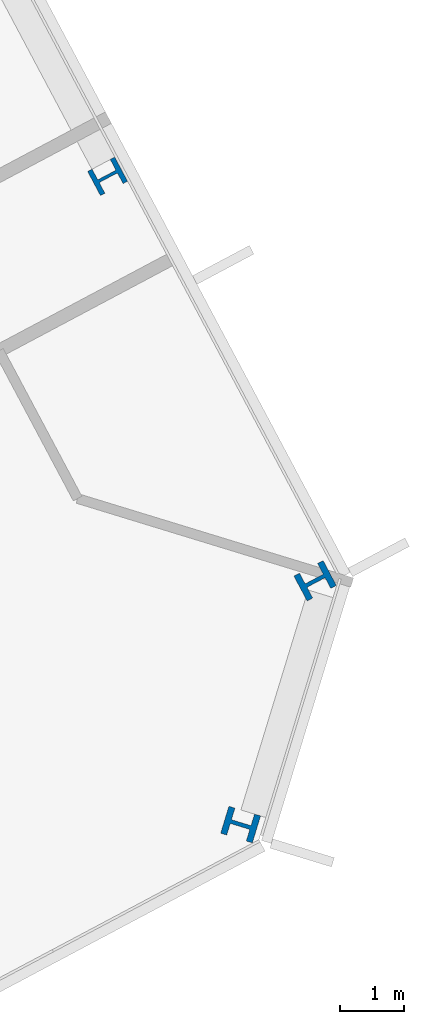
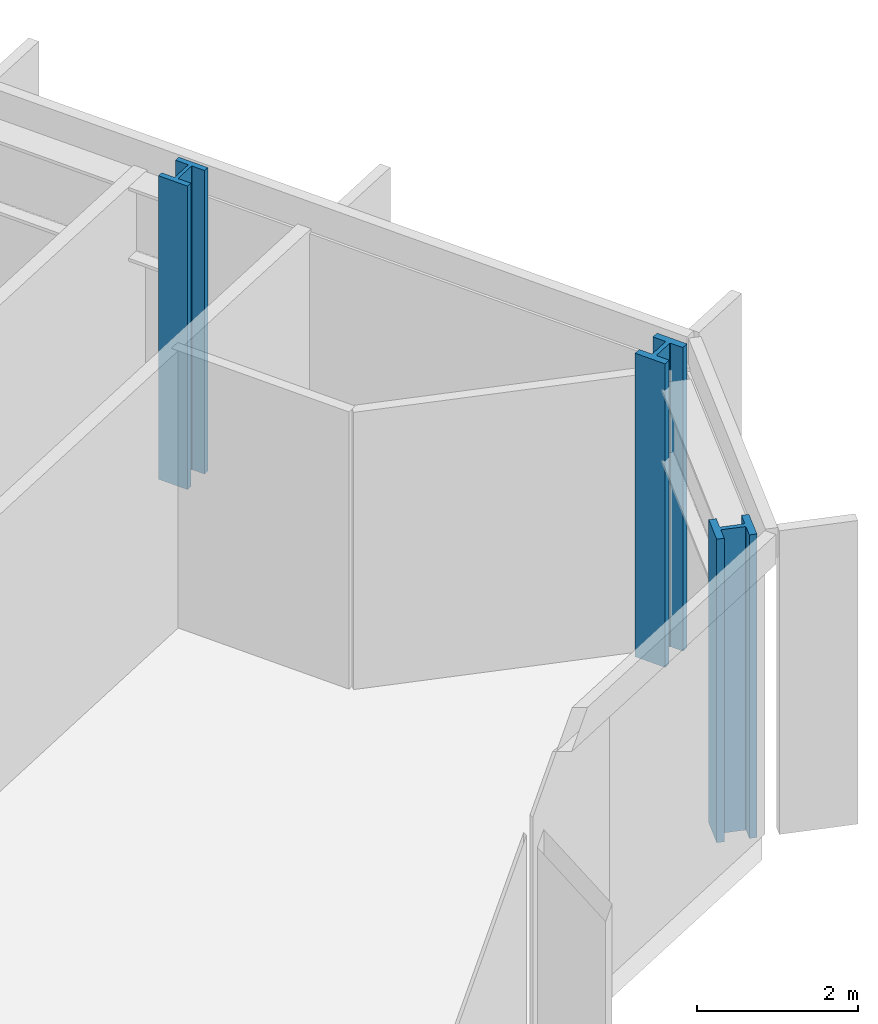
# One storey, part 6 of 32: 3 columns.
"""IFC4 building model written with IfcOpenShell, lengths in metres."""

import ifcopenshell
import ifcopenshell.guid

model = None  # the IFC model being written
_history = None  # IfcOwnerHistory: only IFC2X3 demands one
_inside = {}  # id of a spatial element -> (the spatial element, [elements in it])
_under = {}  # id of a project, library or spatial element -> (it, [spatial elements below it])
_declared = {}  # id of a project -> (the project, [libraries it declares])
_typed = {}  # id of a type object -> (the type object, [elements of that type])
_made_of = {}  # id of a material, layer set ... -> (it, [elements and type objects made of it])


def new_model(schema):
    """Start an empty IFC model of exactly this schema.

    Asked for "IFC4X3", IfcOpenShell would pick the latest addendum, in which some entities
    have other attributes; the version numbers below select the first issue.
    IFC2X3 requires an IfcOwnerHistory on every rooted entity: one is made here for all.
    """
    global model, _history
    if schema == "IFC4X3":
        model = ifcopenshell.file(schema_version=(4, 3, 0, 0))
    else:
        model = ifcopenshell.file(schema=schema)
    _inside.clear()
    _under.clear()
    _declared.clear()
    _typed.clear()
    _made_of.clear()
    _history = None
    if model.schema == "IFC2X3":
        org = make("IfcOrganization", Name="unknown")
        user = make(
            "IfcPersonAndOrganization",
            ThePerson=make("IfcPerson", FamilyName="unknown"),
            TheOrganization=org,
        )
        app = make(
            "IfcApplication",
            ApplicationDeveloper=org,
            Version="unknown",
            ApplicationFullName="unknown",
            ApplicationIdentifier="unknown",
        )
        _history = make(
            "IfcOwnerHistory",
            OwningUser=user,
            OwningApplication=app,
            ChangeAction="ADDED",
            CreationDate=0,
        )
    return model


def make(cls, **values):
    """One entity of the class cls with the attributes given. An attribute that is None is left unset."""
    return model.create_entity(
        cls, **{name: value for name, value in values.items() if value is not None}
    )


def rooted(cls, **values):
    """An entity with a GlobalId (a new one), such as an element, a storey or a relation."""
    return make(cls, GlobalId=ifcopenshell.guid.new(), OwnerHistory=_history, **values)


def si_unit(unit_type, name, prefix=None):
    """IfcSIUnit, for example si_unit("LENGTHUNIT", "METRE", prefix="MILLI")."""
    return make("IfcSIUnit", UnitType=unit_type, Prefix=prefix, Name=name)


def assignment(units):
    """IfcUnitAssignment: the units of a project."""
    return None if units is None else make("IfcUnitAssignment", Units=units)


def point(xyz):
    """IfcCartesianPoint."""
    return None if xyz is None else make("IfcCartesianPoint", Coordinates=xyz)


def direction(xyz):
    """IfcDirection."""
    return None if xyz is None else make("IfcDirection", DirectionRatios=xyz)


def frame(location, z_axis=None, x_axis=None):
    """IfcAxis2Placement3D, a coordinate frame: its origin and axes. An axis left out is left unset."""
    return make(
        "IfcAxis2Placement3D",
        Location=point(location),
        Axis=direction(z_axis),
        RefDirection=direction(x_axis),
    )


def frame_2d(location, x_axis=None):
    """IfcAxis2Placement2D, a coordinate frame in the plane: its origin and x axis."""
    return make(
        "IfcAxis2Placement2D", Location=point(location), RefDirection=direction(x_axis)
    )


def origin():
    """The frame at (0, 0, 0) with its axes left unset."""
    return frame((0.0, 0.0, 0.0))


def origin_2d():
    """The frame at (0, 0) in the plane with its x axis left unset."""
    return frame_2d((0.0, 0.0))


def place(relative_to, where):
    """IfcLocalPlacement: puts the frame where relative to a parent placement (None: the world)."""
    return make(
        "IfcLocalPlacement", PlacementRelTo=relative_to, RelativePlacement=where
    )


def context(
    kind, dimensions, precision=None, world=None, true_north=None, identifier=None
):
    """IfcGeometricRepresentationContext, for example the 3D "Model" context."""
    return make(
        "IfcGeometricRepresentationContext",
        ContextIdentifier=identifier,
        ContextType=kind,
        CoordinateSpaceDimension=dimensions,
        Precision=precision,
        WorldCoordinateSystem=world,
        TrueNorth=true_north,
    )


def subcontext(parent, identifier, kind, view, scale=None):
    """IfcGeometricRepresentationSubContext, for example "Body" below "Model"."""
    return make(
        "IfcGeometricRepresentationSubContext",
        ContextIdentifier=identifier,
        ContextType=kind,
        ParentContext=parent,
        TargetScale=scale,
        TargetView=view,
    )


def project(units=None, contexts=None):
    """IfcProject with its units and contexts."""
    return rooted(
        "IfcProject",
        Name="project",
        RepresentationContexts=contexts,
        UnitsInContext=assignment(units),
    )


def spatial(cls, under=None, at=None, **own):
    """A site, building, storey or space (cls), placed at a placement, below another one or the project."""
    s = rooted(cls, ObjectPlacement=at, **own)
    if under is not None:
        _under.setdefault(under.id(), (under, []))[1].append(s)
    return s


def profile(cls, at=None, kind="AREA", **sizes):
    """A parametric profile (cls). Its sizes go by their IFC names, for example OverallWidth=200.0."""
    return make(cls, ProfileType=kind, Position=at, **sizes)


def i_section(**sizes):
    """IfcIShapeProfileDef."""
    return profile("IfcIShapeProfileDef", **sizes)


def extrude(swept, where, along, depth):
    """IfcExtrudedAreaSolid: the profile swept, set in the frame where, extruded along a direction by depth."""
    return make(
        "IfcExtrudedAreaSolid",
        SweptArea=swept,
        Position=where,
        ExtrudedDirection=direction(along),
        Depth=depth,
    )


def shape(context_of_items, identifier, shape_type, items):
    """IfcShapeRepresentation: the items that make up one representation, for example the "Body"."""
    return make(
        "IfcShapeRepresentation",
        ContextOfItems=context_of_items,
        RepresentationIdentifier=identifier,
        RepresentationType=shape_type,
        Items=items,
    )


def material(Name=None, Category=None):
    """IfcMaterial."""
    return make("IfcMaterial", Name=Name, Category=Category)


def material_profile(
    of_material, cross_section, Name=None, Category=None, Priority=None
):
    """IfcMaterialProfile: a cross section and its material."""
    return make(
        "IfcMaterialProfile",
        Name=Name,
        Material=of_material,
        Profile=cross_section,
        Priority=Priority,
        Category=Category,
    )


def profile_set(profiles, Name=None, composite=None):
    """IfcMaterialProfileSet."""
    return make(
        "IfcMaterialProfileSet",
        Name=Name,
        MaterialProfiles=profiles,
        CompositeProfile=composite,
    )


def made_of(thing, what):
    """Note that an element or type object is made of a material, layer set ...; save() writes the relation."""
    if what is not None:
        _made_of.setdefault(what.id(), (what, []))[1].append(thing)
    return thing


def type_object(cls, material=None, **own):
    """A type object (cls), such as IfcWallType, which elements share."""
    return made_of(rooted(cls, **own), material)


def element(
    cls,
    number,
    at=None,
    inside=None,
    cuts=None,
    type_object=None,
    material=None,
    context=None,
    identifier="Body",
    shape_type=None,
    held_by="IfcProductDefinitionShape",
    body=None,
    shapes=None,
    **own,
):
    """One element of the class cls, such as IfcWall. Its Tag is "e" and its number.

    at: its placement. inside: the storey or other place that contains it. cuts: it is an
    opening in that element (IfcRelVoidsElement). A single representation is given by context,
    identifier, shape_type and body (its items); several are given by shapes. held_by: the class
    of the entity that holds the representations. save() writes the other relations.
    """
    e = rooted(cls, Tag="e%d" % number, ObjectPlacement=at, **own)
    if body is not None:
        shapes = [shape(context, identifier, shape_type, body)]
    if shapes is not None:
        e.Representation = make(held_by, Representations=shapes)
    if inside is not None:
        _inside.setdefault(inside.id(), (inside, []))[1].append(e)
    if cuts is not None:
        rooted(
            "IfcRelVoidsElement", RelatingBuildingElement=cuts, RelatedOpeningElement=e
        )
    if type_object is not None:
        _typed.setdefault(type_object.id(), (type_object, []))[1].append(e)
    return made_of(e, material)


def aggregate(whole, parts):
    """IfcRelAggregates: a whole, such as a stair, and the parts it consists of."""
    return rooted("IfcRelAggregates", RelatingObject=whole, RelatedObjects=parts)


def save(model, path):
    """Write the relations noted so far, then the file.

    IfcRelAggregates (storeys below a building ...), IfcRelContainedInSpatialStructure (elements
    in a storey), IfcRelDefinesByType, IfcRelAssociatesMaterial and IfcRelDeclares: one each for
    every whole, place, type object, material and project.
    """
    for whole, parts in _under.values():
        aggregate(whole, parts)
    for where, things in _inside.values():
        rooted(
            "IfcRelContainedInSpatialStructure",
            RelatedElements=things,
            RelatingStructure=where,
        )
    for kind, things in _typed.values():
        rooted("IfcRelDefinesByType", RelatedObjects=things, RelatingType=kind)
    for what, things in _made_of.values():
        rooted("IfcRelAssociatesMaterial", RelatedObjects=things, RelatingMaterial=what)
    for by, libraries in _declared.values():
        rooted("IfcRelDeclares", RelatingContext=by, RelatedDefinitions=libraries)
    model.write(path)


model = new_model("IFC4")

# Units and contexts
model_context = context("Model", 3, precision=1e-05, world=origin(), true_north=direction((0.0, 1.0)))
body_context = subcontext(model_context, "Body", "Model", "MODEL_VIEW")
ifc_project = project(units=[si_unit("LENGTHUNIT", "METRE"), si_unit("AREAUNIT", "SQUARE_METRE"), si_unit("VOLUMEUNIT", "CUBIC_METRE"), si_unit("PLANEANGLEUNIT", "RADIAN"), si_unit("MASSUNIT", "GRAM", prefix="KILO")], contexts=[model_context])

# Site, building, storey
site_placement = place(None, origin())
site = spatial("IfcSite", under=ifc_project, at=site_placement, CompositionType="ELEMENT")
building_placement = place(site_placement, origin())
building = spatial("IfcBuilding", under=site, at=building_placement, Name="Cormorant Relay Tower", CompositionType="ELEMENT")
storey_placement = place(building_placement, frame((0.0, 0.0, 70.800048828125)))
storey = spatial("IfcBuildingStorey", under=building, at=storey_placement, Name="L13", CompositionType="ELEMENT", Elevation=70.800048828125)

# Columns
ifc_material_1 = material(Name="Steel ASTM A992 (Fy 345 MPa)", Category="steel")
ifc_material_profile_1 = material_profile(ifc_material_1, i_section(OverallWidth=0.42431640625, OverallDepth=0.47509765625, WebThickness=0.0478515625, FlangeThickness=0.0771484375, FilletRadius=0.014892578125, at=origin_2d()), Name="W360x634")
ifc_profile_set_1 = profile_set([ifc_material_profile_1], Name="Steel ASTM A992 (Fy 345 MPa)")
column_type_1 = type_object("IfcColumnType", Name="Column W360x634", PredefinedType="COLUMN", material=ifc_profile_set_1)
column_placement = place(storey_placement, frame((68.430908203125, 24.153076171875, 0.0), z_axis=(0.0, 0.0, 1.0), x_axis=(-0.469471562786, 0.882947592859, 0.0)))
element("IfcColumn", 1, at=column_placement, inside=storey, type_object=column_type_1, Name="Column L13-033", PredefinedType="COLUMN", context=body_context, shape_type="SweptSolid", body=[
    extrude(i_section(OverallWidth=0.42431640625, OverallDepth=0.47509765625, WebThickness=0.0478515625, FlangeThickness=0.0771484375, FilletRadius=0.014892578125, at=origin_2d()), origin(), (0.0, 0.0, 1.0), 4.599853515625),
])
ifc_material_2 = material(Name="Steel ASTM A992 (Fy 345 MPa)", Category="steel")
ifc_material_profile_2 = material_profile(ifc_material_2, i_section(OverallWidth=0.43701171875, OverallDepth=0.51318359375, WebThickness=0.060546875, FlangeThickness=0.096923828125, FilletRadius=0.015380859375, at=origin_2d()), Name="W360x818")
ifc_profile_set_2 = profile_set([ifc_material_profile_2], Name="Steel ASTM A992 (Fy 345 MPa)")
column_type_2 = type_object("IfcColumnType", Name="Column W360x818", PredefinedType="COLUMN", material=ifc_profile_set_2)
for number, where, z_axis, x_axis, name in (
    (2, (70.4970703125, 14.0869140625, 0.0), (0.0, 0.0, 1.0), (0.292371704723, 0.956304755963, 0.0), "Column L13-026"),
    (3, (71.654052734375, 17.873046875, 0.0), (0.0, 0.0, 1.0), (-0.469471562786, 0.882947592859, 0.0), "Column L13-028"),
):
    element("IfcColumn", number, at=place(storey_placement, frame(where, z_axis=z_axis, x_axis=x_axis)), inside=storey, type_object=column_type_2, Name=name, PredefinedType="COLUMN", context=body_context, shape_type="SweptSolid", body=[
        extrude(i_section(OverallWidth=0.43701171875, OverallDepth=0.51318359375, WebThickness=0.060546875, FlangeThickness=0.096923828125, FilletRadius=0.015380859375, at=origin_2d()), origin(), (0.0, 0.0, 1.0), 4.599853515625),
    ])

save(model, "model.ifc")
